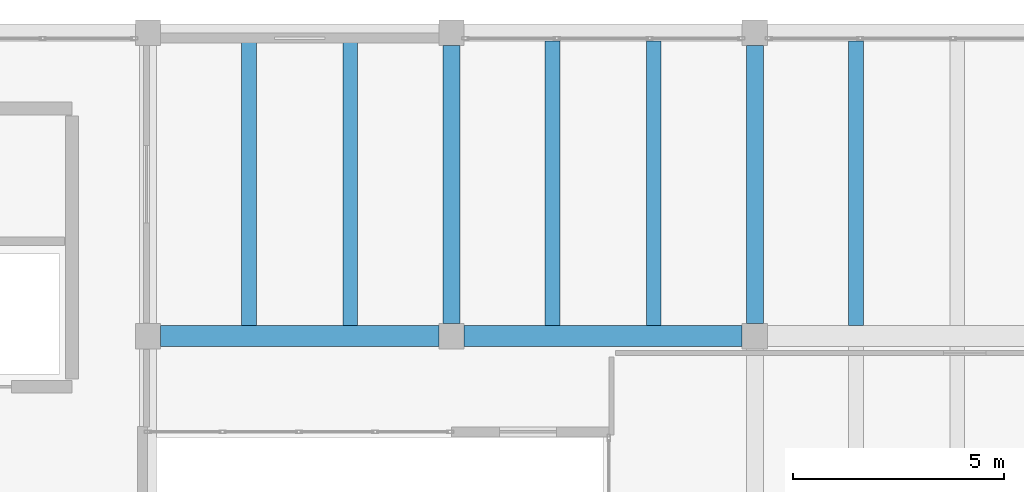
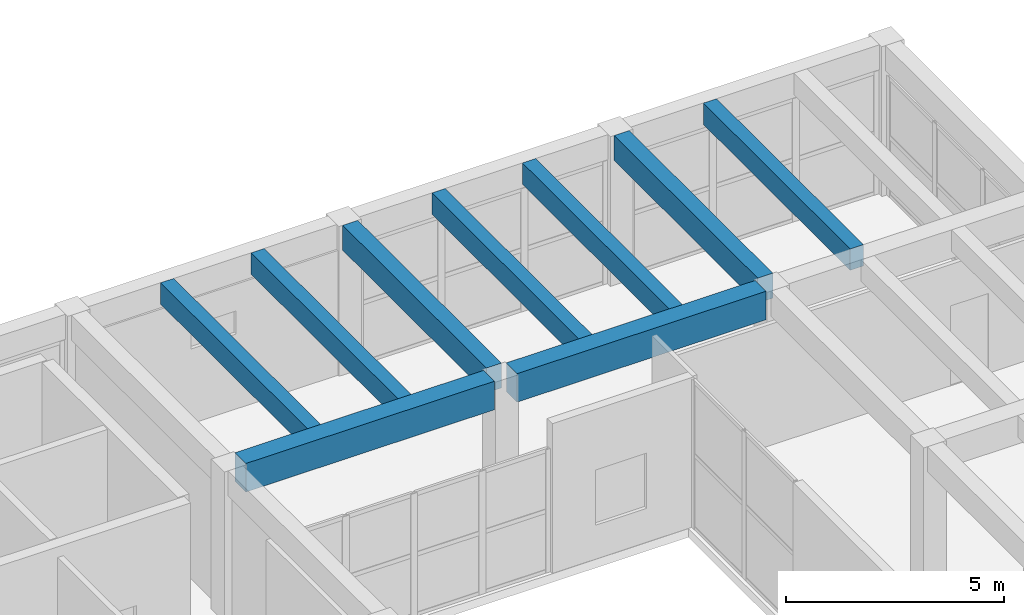
# One storey, part 83 of 153: 9 beams.
"""IFC4 building model written with IfcOpenShell, lengths in metres."""

from ifc_helpers import new_model, si_unit, direction, frame, origin, origin_2d, place, context, subcontext, project, spatial, rectangle, extrude, material, material_profile, profile_set, type_object, element, save


model = new_model("IFC4")

# Units and contexts
model_context = context("Model", 3, precision=1e-05, world=origin(), true_north=direction((0.0, 1.0)))
body_context = subcontext(model_context, "Body", "Model", "MODEL_VIEW")
ifc_project = project(units=[si_unit("LENGTHUNIT", "METRE"), si_unit("AREAUNIT", "SQUARE_METRE"), si_unit("VOLUMEUNIT", "CUBIC_METRE"), si_unit("PLANEANGLEUNIT", "RADIAN"), si_unit("MASSUNIT", "GRAM", prefix="KILO")], contexts=[model_context])

# Site, building, storey
site_placement = place(None, origin())
site = spatial("IfcSite", under=ifc_project, at=site_placement, CompositionType="ELEMENT")
building_placement = place(site_placement, origin())
building = spatial("IfcBuilding", under=site, at=building_placement, Name="Bramvelor Terrace Health Centre", CompositionType="ELEMENT")
storey_placement = place(building_placement, frame((0.0, 0.0, 4.800048828125)))
storey = spatial("IfcBuildingStorey", under=building, at=storey_placement, Name="L02", CompositionType="ELEMENT", Elevation=4.800048828125)

# Beams
ifc_material_1 = material(Name="Concrete C40/50", Category="concrete")
ifc_material_profile_1 = material_profile(ifc_material_1, rectangle(XDim=0.39990234375, YDim=0.699951171875, at=origin_2d()), Name="RC 400x700")
ifc_profile_set_1 = profile_set([ifc_material_profile_1], Name="Concrete C40/50")
beam_type_1 = type_object("IfcBeamType", Name="BM-RC-G700", PredefinedType="BEAM", material=ifc_profile_set_1)
for number, where, z_axis, x_axis, name in (
    (1, (21.60009765625, 108.300048828125, 3.849853515625), (0.0, 1.0, 0.0), (-1.0, 0.0, 0.0), "L02 Floor Girder"),
    (2, (28.800048828125, 108.300048828125, 3.849853515625), (0.0, 1.0, 0.0), (-1.0, 0.0, 0.0), "L02 Floor Girder"),
):
    element("IfcBeam", number, at=place(storey_placement, frame(where, z_axis=z_axis, x_axis=x_axis)), inside=storey, type_object=beam_type_1, Name=name, PredefinedType="BEAM", context=body_context, shape_type="SweptSolid", body=[
        extrude(rectangle(XDim=0.39990234375, YDim=0.699951171875, at=origin_2d()), origin(), (0.0, 0.0, 1.0), 6.599853515625),
    ])
ifc_material_2 = material(Name="Concrete C40/50", Category="concrete")
ifc_material_profile_2 = material_profile(ifc_material_2, rectangle(XDim=0.5, YDim=0.800048828125, at=origin_2d()), Name="RC 500x800")
ifc_profile_set_2 = profile_set([ifc_material_profile_2], Name="Concrete C40/50")
beam_type_2 = type_object("IfcBeamType", Name="BM-RC-G800", PredefinedType="BEAM", material=ifc_profile_set_2)
for number, where, z_axis, x_axis, name in (
    (3, (14.699951171875, 108.0, 3.800048828125), (1.0, 0.0, 0.0), (0.0, 1.0, 0.0), "L02 Floor Girder"),
    (4, (21.89990234375, 108.0, 3.800048828125), (1.0, 0.0, 0.0), (0.0, 1.0, 0.0), "L02 Floor Girder"),
):
    element("IfcBeam", number, at=place(storey_placement, frame(where, z_axis=z_axis, x_axis=x_axis)), inside=storey, type_object=beam_type_2, Name=name, PredefinedType="BEAM", context=body_context, shape_type="SweptSolid", body=[
        extrude(rectangle(XDim=0.5, YDim=0.800048828125, at=origin_2d()), origin(), (0.0, 0.0, 1.0), 6.60009765625),
    ])
ifc_material_3 = material(Name="Concrete C40/50", Category="concrete")
ifc_material_profile_3 = material_profile(ifc_material_3, rectangle(XDim=0.35009765625, YDim=0.60009765625, at=origin_2d()), Name="RC 350x600")
ifc_profile_set_3 = profile_set([ifc_material_profile_3], Name="Concrete C40/50")
beam_type_3 = type_object("IfcBeamType", Name="BM-RC-J600", PredefinedType="JOIST", material=ifc_profile_set_3)
for number, where, z_axis, x_axis, name in (
    (5, (16.800048828125, 108.25, 3.89990234375), (0.0, 1.0, 0.0), (-1.0, 0.0, 0.0), "L02 Secondary Floor Joist"),
    (6, (19.199951171875, 108.25, 3.89990234375), (0.0, 1.0, 0.0), (-1.0, 0.0, 0.0), "L02 Secondary Floor Joist"),
    (7, (24.0, 108.25, 3.89990234375), (0.0, 1.0, 0.0), (-1.0, 0.0, 0.0), "L02 Secondary Floor Joist"),
    (8, (26.39990234375, 108.25, 3.89990234375), (0.0, 1.0, 0.0), (-1.0, 0.0, 0.0), "L02 Secondary Floor Joist"),
    (9, (31.199951171875, 108.25, 3.89990234375), (0.0, 1.0, 0.0), (-1.0, 0.0, 0.0), "L02 Secondary Floor Joist"),
):
    element("IfcBeam", number, at=place(storey_placement, frame(where, z_axis=z_axis, x_axis=x_axis)), inside=storey, type_object=beam_type_3, Name=name, PredefinedType="JOIST", context=body_context, shape_type="SweptSolid", body=[
        extrude(rectangle(XDim=0.35009765625, YDim=0.60009765625, at=origin_2d()), origin(), (0.0, 0.0, 1.0), 6.75),
    ])

save(model, "model.ifc")
